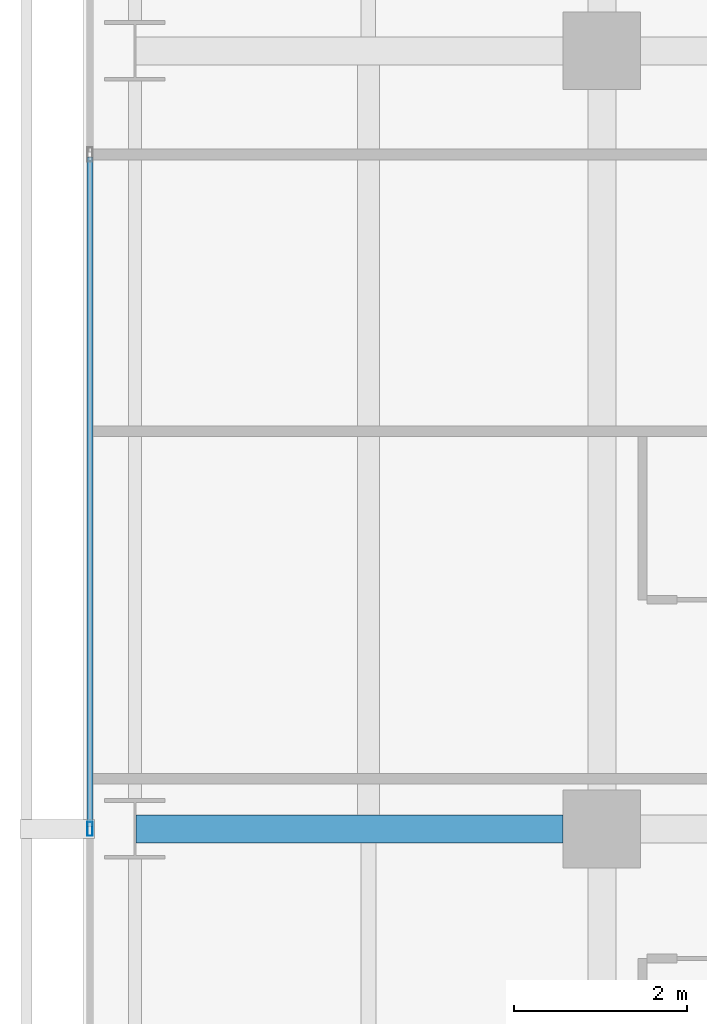
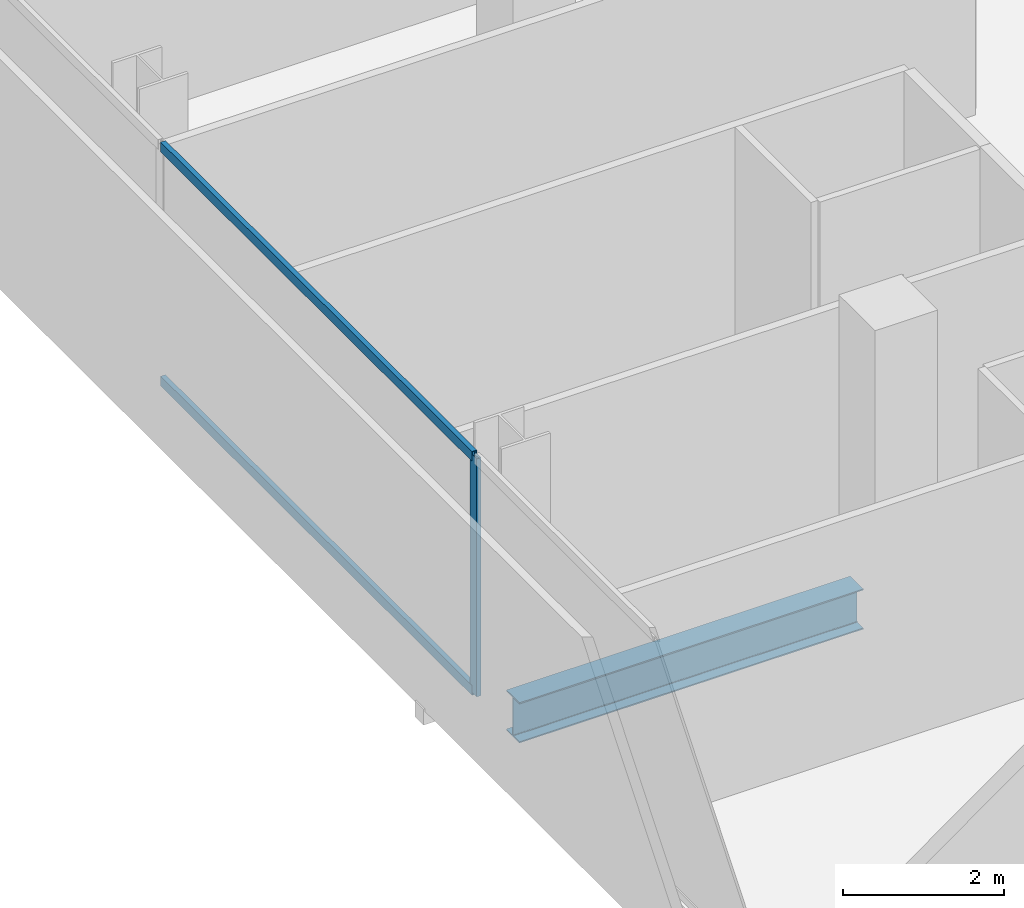
# One storey, part 12 of 41: 3 members, 1 beam, 1 element without a shape of its own.
"""IFC4 building model written with IfcOpenShell, lengths in metres."""

from ifc_helpers import new_model, si_unit, direction, frame, origin, origin_2d, place, context, subcontext, project, spatial, hollow_rectangle, i_section, extrude, material, layer, layer_set, material_profile, profile_set, type_object, element, aggregate, save


model = new_model("IFC4")

# Units and contexts
model_context = context("Model", 3, precision=1e-05, world=origin(), true_north=direction((0.0, 1.0)))
body_context = subcontext(model_context, "Body", "Model", "MODEL_VIEW")
ifc_project = project(units=[si_unit("LENGTHUNIT", "METRE"), si_unit("AREAUNIT", "SQUARE_METRE"), si_unit("VOLUMEUNIT", "CUBIC_METRE"), si_unit("PLANEANGLEUNIT", "RADIAN"), si_unit("MASSUNIT", "GRAM", prefix="KILO")], contexts=[model_context])

# Site, building, storey
site_placement = place(None, origin())
site = spatial("IfcSite", under=ifc_project, at=site_placement, CompositionType="ELEMENT")
building_placement = place(site_placement, origin())
building = spatial("IfcBuilding", under=site, at=building_placement, Name="Maruvema Waterfront Hotel and Observation Tower", CompositionType="ELEMENT")
storey_placement = place(building_placement, frame((0.0, 0.0, 84.699951171875)))
storey = spatial("IfcBuildingStorey", under=building, at=storey_placement, Name="L20", CompositionType="ELEMENT", Elevation=84.699951171875)

# Curtain wall, members
ifc_material_1 = material(Name="Anodised bronze aluminium and solar-control low-E IGU", Category="aluminium")
ifc_layer = layer(ifc_material_1, 0.159912109375, Name="Zone 1 Bronze Inner Thermal Curtain Wall System CW-02")
ifc_layer_set = layer_set([ifc_layer], Name="Anodised bronze aluminium and solar-control low-E IGU")
curtain_wall_type = type_object("IfcCurtainWallType", Name="Zone 1 Bronze Inner Thermal Curtain Wall System CW-02", PredefinedType="USERDEFINED", material=ifc_layer_set)
curtain_wall_placement = place(storey_placement, origin())
curtain_wall = element("IfcCurtainWall", 1, at=curtain_wall_placement, inside=storey, type_object=curtain_wall_type, Name="L20 Curtain Wall CW-L20-W", ObjectType="UNITISED CURTAIN WALL", PredefinedType="USERDEFINED")
ifc_material_2 = material(Name="Anodised architectural bronze aluminium", Category="aluminium")
ifc_material_profile_1 = material_profile(ifc_material_2, hollow_rectangle(XDim=0.070068359375, YDim=0.14990234375, WallThickness=0.00390625, at=origin_2d()), Name="ALU-T70x150")
ifc_profile_set_1 = profile_set([ifc_material_profile_1], Name="Anodised architectural bronze aluminium")
member_type_1 = type_object("IfcMemberType", Name="Curtain Wall Horizontal Transom ALU-T70x150", PredefinedType="USERDEFINED", material=ifc_profile_set_1)
member_1_placement = place(storey_placement, frame((10.8798828125, 34.77001953125, 0.030029296875), z_axis=(0.0, -1.0, 0.0), x_axis=(1.0, 0.0, 0.0)))
member_1 = element("IfcMember", 2, at=member_1_placement, type_object=member_type_1, Name="CW-02 transom 3.1", ObjectType="TRANSOM", PredefinedType="USERDEFINED", context=body_context, shape_type="SweptSolid", body=[
    extrude(hollow_rectangle(XDim=0.070068359375, YDim=0.14990234375, WallThickness=0.00390625, at=origin_2d()), origin(), (0.0, 0.0, 1.0), 7.739990234375),
])
member_2_placement = place(storey_placement, frame((10.8798828125, 34.77001953125, 3.580078125), z_axis=(0.0, -1.0, 0.0), x_axis=(1.0, 0.0, 0.0)))
member_2 = element("IfcMember", 3, at=member_2_placement, type_object=member_type_1, Name="CW-02 transom 3.2", ObjectType="TRANSOM", PredefinedType="USERDEFINED", context=body_context, shape_type="SweptSolid", body=[
    extrude(hollow_rectangle(XDim=0.070068359375, YDim=0.14990234375, WallThickness=0.00390625, at=origin_2d()), origin(), (0.0, 0.0, 1.0), 7.739990234375),
])
ifc_material_3 = material(Name="Anodised architectural bronze aluminium", Category="aluminium")
ifc_material_profile_2 = material_profile(ifc_material_3, hollow_rectangle(XDim=0.06494140625, YDim=0.1650390625, WallThickness=0.00390625, at=origin_2d()), Name="ALU-M65x165")
ifc_profile_set_2 = profile_set([ifc_material_profile_2], Name="Anodised architectural bronze aluminium")
member_type_2 = type_object("IfcMemberType", Name="Curtain Wall Primary Mullion ALU-M65x165", PredefinedType="MULLION", material=ifc_profile_set_2)
member_3_placement = place(storey_placement, frame((10.8798828125, 27.0, 0.0), z_axis=(0.0, 0.0, 1.0), x_axis=(1.0, 0.0, 0.0)))
member_3 = element("IfcMember", 4, at=member_3_placement, type_object=member_type_2, Name="CW-02 mullion 4", PredefinedType="MULLION", context=body_context, shape_type="SweptSolid", body=[
    extrude(hollow_rectangle(XDim=0.06494140625, YDim=0.1650390625, WallThickness=0.00390625, at=origin_2d()), origin(), (0.0, 0.0, 1.0), 3.610107421875),
])
aggregate(curtain_wall, [member_3, member_1, member_2])

# Beam
ifc_material_4 = material(Name="Steel ASTM A572 Grade 50", Category="steel")
ifc_material_profile_3 = material_profile(ifc_material_4, i_section(OverallWidth=0.323974609375, OverallDepth=0.611083984375, WebThickness=0.0126953125, FlangeThickness=0.01904296875, FilletRadius=0.01806640625, at=origin_2d()), Name="W610x155.0")
ifc_profile_set_3 = profile_set([ifc_material_profile_3], Name="Steel ASTM A572 Grade 50")
beam_type = type_object("IfcBeamType", Name="Primary Floor Girder W610x155.0", PredefinedType="BEAM", material=ifc_profile_set_3)
beam_placement = place(storey_placement, frame((11.4140625, 27.0, -0.54541015625), z_axis=(1.0, 0.0, 0.0), x_axis=(0.0, 1.0, 0.0)))
element("IfcBeam", 5, at=beam_placement, inside=storey, type_object=beam_type, Name="L20 Floor Girder EW-20", PredefinedType="BEAM", context=body_context, shape_type="SweptSolid", body=[
    extrude(i_section(OverallWidth=0.323974609375, OverallDepth=0.611083984375, WebThickness=0.0126953125, FlangeThickness=0.01904296875, FilletRadius=0.01806640625, at=origin_2d()), origin(), (0.0, 0.0, 1.0), 4.93603515625),
])

save(model, "model.ifc")
